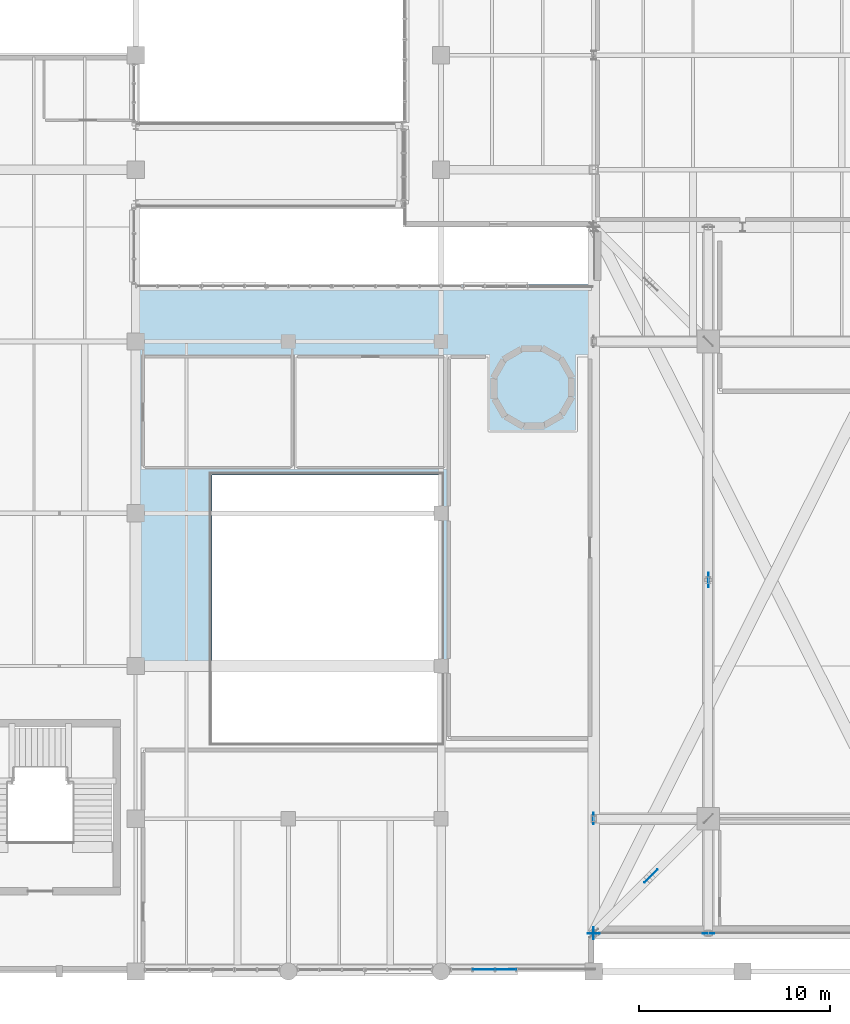
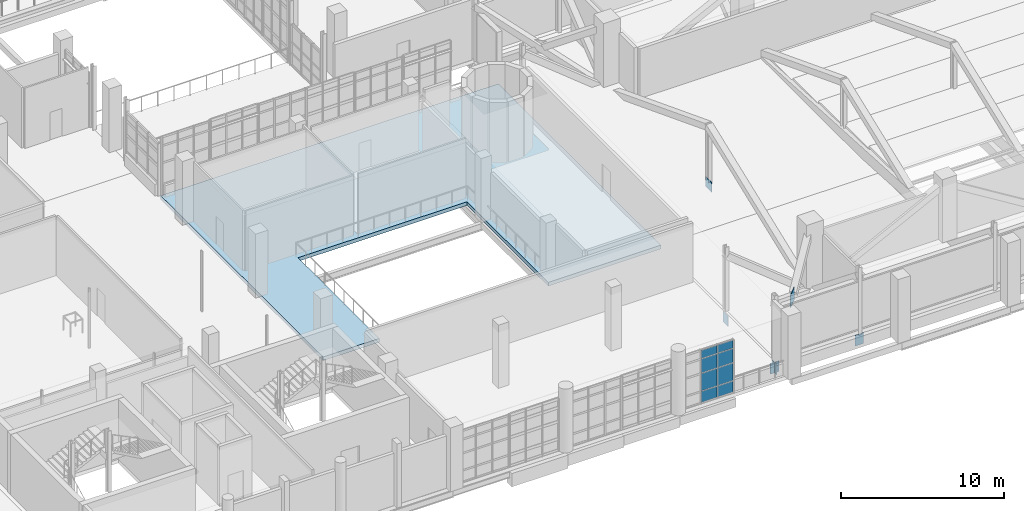
# One storey, part 85 of 127: 14 plates, 1 slab, 1 element without a shape of its own.
"""IFC4 building model written with IfcOpenShell, lengths in metres."""

from ifc_helpers import new_model, si_unit, derived_unit, direction, frame, origin, origin_2d, place, context, subcontext, project, spatial, polyline, rectangle, outline, extrude, material, layer, layer_set, type_object, element, aggregate, save


model = new_model("IFC4")

# Units and contexts
model_context = context("Model", 3, precision=1e-05, world=origin(), true_north=direction((0.0, 1.0)))
body_context = subcontext(model_context, "Body", "Model", "MODEL_VIEW")
ifc_project = project(units=[si_unit("LENGTHUNIT", "METRE"), si_unit("AREAUNIT", "SQUARE_METRE"), si_unit("VOLUMEUNIT", "CUBIC_METRE"), si_unit("PLANEANGLEUNIT", "RADIAN"), si_unit("MASSUNIT", "GRAM", prefix="KILO"), derived_unit("THERMALTRANSMITTANCEUNIT", [(si_unit("POWERUNIT", "WATT"), 1), (si_unit("LENGTHUNIT", "METRE"), -2), (si_unit("THERMODYNAMICTEMPERATUREUNIT", "KELVIN"), -1)])], contexts=[model_context])

# Site, building, storey
site_placement = place(None, origin())
site = spatial("IfcSite", under=ifc_project, at=site_placement, CompositionType="ELEMENT")
building_placement = place(site_placement, origin())
building = spatial("IfcBuilding", under=site, at=building_placement, Name="Nallur Shell Playhouse", CompositionType="ELEMENT")
storey_placement = place(building_placement, frame((0.0, 0.0, 5.39990234375)))
storey = spatial("IfcBuildingStorey", under=building, at=storey_placement, Name="L02", CompositionType="ELEMENT", Elevation=5.39990234375)

# Plates
ifc_material_1 = material(Name="Steel E350", Category="steel")
ifc_layer_1 = layer(ifc_material_1, 0.02001953125)
ifc_layer_set_1 = layer_set([ifc_layer_1], Name="Steel E350")
plate_type_1 = type_object("IfcPlateType", Name="PT-ENDCAP-20", PredefinedType="SHEET", material=ifc_layer_set_1)
plate_1_placement = place(storey_placement, frame((63.989990234375, 16.0, -1.080078125), z_axis=(0.0, 0.0, 1.0), x_axis=(1.0, 0.0, 0.0)))
element("IfcPlate", 1, at=plate_1_placement, inside=storey, type_object=plate_type_1, Name="Hollow end cap EC-TT-1-BC0", PredefinedType="SHEET", context=body_context, shape_type="SweptSolid", body=[
    extrude(rectangle(XDim=0.02001953125, YDim=0.60009765625, at=origin_2d()), origin(), (0.0, 0.0, 1.0), 0.800048828125),
])
plate_2_placement = place(storey_placement, frame((70.0, 9.989990234375, -1.080078125), z_axis=(0.0, 0.0, 1.0), x_axis=(1.0, 0.0, 0.0)))
element("IfcPlate", 2, at=plate_2_placement, inside=storey, type_object=plate_type_1, Name="Hollow end cap EC-TT-3-BC0", PredefinedType="SHEET", context=body_context, shape_type="SweptSolid", body=[
    extrude(rectangle(XDim=0.60009765625, YDim=0.02001953125, at=origin_2d()), origin(), (0.0, 0.0, 1.0), 0.800048828125),
])
plate_3_placement = place(storey_placement, frame((63.989990234375, 10.0, -1.08984375), z_axis=(0.0, 0.0, 1.0), x_axis=(1.0, 0.0, 0.0)))
element("IfcPlate", 3, at=plate_3_placement, inside=storey, type_object=plate_type_1, Name="Hollow end cap EC-GB-L02-SA", PredefinedType="SHEET", context=body_context, shape_type="SweptSolid", body=[
    extrude(rectangle(XDim=0.02001953125, YDim=0.6201171875, at=origin_2d()), origin(), (0.0, 0.0, 1.0), 0.820068359375),
])
plate_4_placement = place(storey_placement, frame((64.0, 9.989990234375, -1.08984375), z_axis=(0.0, 0.0, 1.0), x_axis=(1.0, 0.0, 0.0)))
element("IfcPlate", 4, at=plate_4_placement, inside=storey, type_object=plate_type_1, Name="Hollow end cap EC-GB-L02-WA", PredefinedType="SHEET", context=body_context, shape_type="SweptSolid", body=[
    extrude(rectangle(XDim=0.6201171875, YDim=0.02001953125, at=origin_2d()), origin(), (0.0, 0.0, 1.0), 0.820068359375),
])

# Curtain wall, plates
ifc_material_2 = material(Name="Anodised Aluminium Double-Glazed Facade System", Category="aluminium")
ifc_layer_2 = layer(ifc_material_2, 0.1640625)
ifc_layer_set_2 = layer_set([ifc_layer_2], Name="Anodised Aluminium Double-Glazed Facade System")
curtain_wall_type = type_object("IfcCurtainWallType", Name="CW-UNIT-19", PredefinedType="NOTDEFINED", material=ifc_layer_set_2)
curtain_wall_placement = place(storey_placement, origin())
curtain_wall = element("IfcCurtainWall", 5, at=curtain_wall_placement, inside=storey, type_object=curtain_wall_type, Name="Unitised curtain wall CW-051 (L02)", PredefinedType="NOTDEFINED")
ifc_material_3 = material(Name="Solar-Control Low-E Laminated Insulating Glass", Category="glass")
ifc_layer_3 = layer(ifc_material_3, 0.030029296875)
ifc_layer_set_3 = layer_set([ifc_layer_3], Name="Solar-Control Low-E Laminated Insulating Glass")
plate_type_2 = type_object("IfcPlateType", Name="PT-GLZ-03", PredefinedType="CURTAIN_PANEL", material=ifc_layer_set_3)
plate_5_placement = place(storey_placement, frame((59.38671875, 8.090087890625, 0.05712890625), z_axis=(0.0, 0.0, 1.0), x_axis=(-1.0, 0.0, 0.0)))
plate_5 = element("IfcPlate", 6, at=plate_5_placement, type_object=plate_type_2, Name="CW-19 panel 1.1", PredefinedType="CURTAIN_PANEL", context=body_context, shape_type="SweptSolid", body=[
    extrude(rectangle(XDim=1.08251953125, YDim=0.030029296875, at=origin_2d()), origin(), (0.0, 0.0, 1.0), 0.818603515625),
])
plate_6_placement = place(storey_placement, frame((59.38671875, 8.090087890625, 0.9248046875), z_axis=(0.0, 0.0, 1.0), x_axis=(-1.0, 0.0, 0.0)))
plate_6 = element("IfcPlate", 7, at=plate_6_placement, type_object=plate_type_2, Name="CW-19 panel 1.2", PredefinedType="CURTAIN_PANEL", context=body_context, shape_type="SweptSolid", body=[
    extrude(rectangle(XDim=1.08251953125, YDim=0.030029296875, at=origin_2d()), origin(), (0.0, 0.0, 1.0), 1.299072265625),
])
plate_7_placement = place(storey_placement, frame((59.38671875, 8.090087890625, 2.2724609375), z_axis=(0.0, 0.0, 1.0), x_axis=(-1.0, 0.0, 0.0)))
plate_7 = element("IfcPlate", 8, at=plate_7_placement, type_object=plate_type_2, Name="CW-19 panel 1.3", PredefinedType="CURTAIN_PANEL", context=body_context, shape_type="SweptSolid", body=[
    extrude(rectangle(XDim=1.08251953125, YDim=0.030029296875, at=origin_2d()), origin(), (0.0, 0.0, 1.0), 1.0380859375),
])
plate_8_placement = place(storey_placement, frame((59.38671875, 8.090087890625, 3.35986328125), z_axis=(0.0, 0.0, 1.0), x_axis=(-1.0, 0.0, 0.0)))
plate_8 = element("IfcPlate", 9, at=plate_8_placement, type_object=plate_type_2, Name="CW-19 panel 1.4", PredefinedType="CURTAIN_PANEL", context=body_context, shape_type="SweptSolid", body=[
    extrude(rectangle(XDim=1.08251953125, YDim=0.030029296875, at=origin_2d()), origin(), (0.0, 0.0, 1.0), 0.598388671875),
])
plate_9_placement = place(storey_placement, frame((58.2265625, 8.090087890625, 0.05712890625), z_axis=(0.0, 0.0, 1.0), x_axis=(-1.0, 0.0, 0.0)))
plate_9 = element("IfcPlate", 10, at=plate_9_placement, type_object=plate_type_2, Name="CW-19 panel 2.1", PredefinedType="CURTAIN_PANEL", context=body_context, shape_type="SweptSolid", body=[
    extrude(rectangle(XDim=1.1201171875, YDim=0.030029296875, at=origin_2d()), origin(), (0.0, 0.0, 1.0), 0.818603515625),
])
plate_10_placement = place(storey_placement, frame((58.2265625, 8.090087890625, 0.9248046875), z_axis=(0.0, 0.0, 1.0), x_axis=(-1.0, 0.0, 0.0)))
plate_10 = element("IfcPlate", 11, at=plate_10_placement, type_object=plate_type_2, Name="CW-19 panel 2.2", PredefinedType="CURTAIN_PANEL", context=body_context, shape_type="SweptSolid", body=[
    extrude(rectangle(XDim=1.1201171875, YDim=0.030029296875, at=origin_2d()), origin(), (0.0, 0.0, 1.0), 1.299072265625),
])
plate_11_placement = place(storey_placement, frame((58.2265625, 8.090087890625, 2.2724609375), z_axis=(0.0, 0.0, 1.0), x_axis=(-1.0, 0.0, 0.0)))
plate_11 = element("IfcPlate", 12, at=plate_11_placement, type_object=plate_type_2, Name="CW-19 panel 2.3", PredefinedType="CURTAIN_PANEL", context=body_context, shape_type="SweptSolid", body=[
    extrude(rectangle(XDim=1.1201171875, YDim=0.030029296875, at=origin_2d()), origin(), (0.0, 0.0, 1.0), 1.0380859375),
])
plate_12_placement = place(storey_placement, frame((58.2265625, 8.090087890625, 3.35986328125), z_axis=(0.0, 0.0, 1.0), x_axis=(-1.0, 0.0, 0.0)))
plate_12 = element("IfcPlate", 13, at=plate_12_placement, type_object=plate_type_2, Name="CW-19 panel 2.4", PredefinedType="CURTAIN_PANEL", context=body_context, shape_type="SweptSolid", body=[
    extrude(rectangle(XDim=1.1201171875, YDim=0.030029296875, at=origin_2d()), origin(), (0.0, 0.0, 1.0), 0.598388671875),
])
aggregate(curtain_wall, [plate_5, plate_6, plate_7, plate_8, plate_9, plate_10, plate_11, plate_12])

# Plates
ifc_layer_4 = layer(ifc_material_1, 0.02490234375)
ifc_layer_set_4 = layer_set([ifc_layer_4], Name="Steel E350")
plate_type_3 = type_object("IfcPlateType", Name="PT-GUSSET-25", PredefinedType="USERDEFINED", material=ifc_layer_set_4)
plate_13_placement = place(storey_placement, frame((70.0, 28.5, -0.635009765625), z_axis=(0.0, 0.0, 1.0), x_axis=(1.0, 0.0, 0.0)))
element("IfcPlate", 14, at=plate_13_placement, inside=storey, type_object=plate_type_3, Name="Transfer truss node gusset plate TN-01 (TT-3-3)", ObjectType="GUSSET PLATE", PredefinedType="USERDEFINED", context=body_context, shape_type="SweptSolid", body=[
    extrude(rectangle(XDim=0.02490234375, YDim=0.75, at=origin_2d()), origin(), (0.0, 0.0, 1.0), 0.75),
])
ifc_layer_5 = layer(ifc_material_1, 0.034912109375)
ifc_layer_set_5 = layer_set([ifc_layer_5], Name="Steel E350")
plate_type_4 = type_object("IfcPlateType", Name="PT-GUSSET-35", PredefinedType="USERDEFINED", material=ifc_layer_set_5)
plate_14_placement = place(storey_placement, frame((67.0, 13.0, 1.2548828125), z_axis=(0.0, 0.0, 1.0), x_axis=(-0.707106781187, -0.707106781187, 0.0)))
element("IfcPlate", 15, at=plate_14_placement, inside=storey, type_object=plate_type_4, Name="Corner transfer TTC-SW X-brace crossing gusset node plate", ObjectType="GUSSET PLATE", PredefinedType="USERDEFINED", context=body_context, shape_type="SweptSolid", body=[
    extrude(rectangle(XDim=0.949951171875, YDim=0.034912109375, at=origin_2d()), origin(), (0.0, 0.0, 1.0), 0.949951171875),
])

# Slab
ifc_material_4 = material(Name="Concrete M40", Category="concrete")
ifc_layer_6 = layer(ifc_material_4, 0.280029296875)
ifc_layer_set_6 = layer_set([ifc_layer_6], Name="Concrete M40")
slab_type = type_object("IfcSlabType", Name="SL-TRANS-280", PredefinedType="FLOOR", material=ifc_layer_set_6)
slab_placement = place(storey_placement, frame((0.0, 0.0, -0.27978515625)))
element("IfcSlab", 16, at=slab_placement, inside=storey, type_object=slab_type, Name="L02 structural floor slab panel 07", PredefinedType="FLOOR", context=body_context, shape_type="SweptSolid", body=[
    extrude(outline(polyline([(64.0, 44.0), (64.0, 24.0), (56.0, 24.0), (56.0, 34.0), (44.0, 34.0), (44.0, 24.0), (40.0, 24.0), (40.0, 44.0), (64.0, 44.0)])), origin(), (0.0, 0.0, 1.0), 0.27978515625),
])

save(model, "model.ifc")
